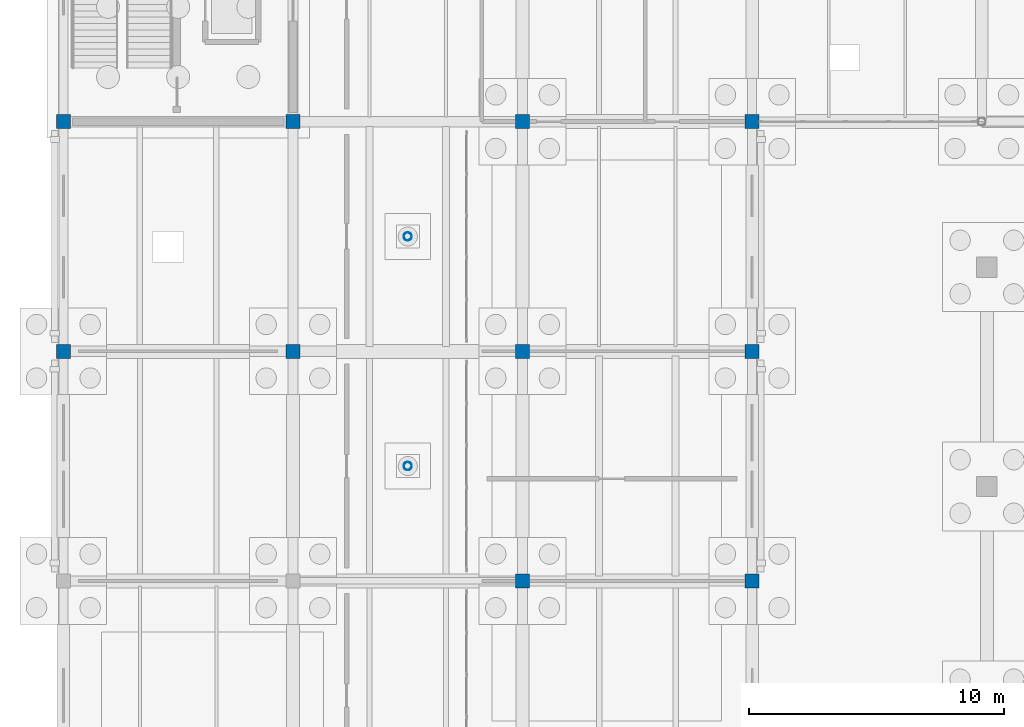
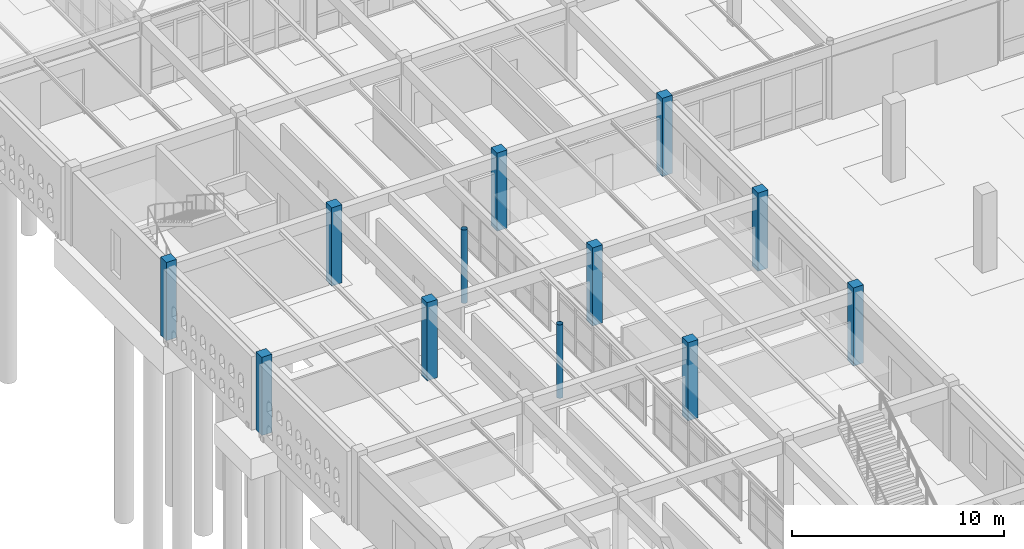
# One storey, part 11 of 186: 12 columns.
"""IFC4 building model written with IfcOpenShell, lengths in metres."""

import ifcopenshell
import ifcopenshell.guid

model = None  # the IFC model being written
_history = None  # IfcOwnerHistory: only IFC2X3 demands one
_inside = {}  # id of a spatial element -> (the spatial element, [elements in it])
_under = {}  # id of a project, library or spatial element -> (it, [spatial elements below it])
_declared = {}  # id of a project -> (the project, [libraries it declares])
_typed = {}  # id of a type object -> (the type object, [elements of that type])
_made_of = {}  # id of a material, layer set ... -> (it, [elements and type objects made of it])


def new_model(schema):
    """Start an empty IFC model of exactly this schema.

    Asked for "IFC4X3", IfcOpenShell would pick the latest addendum, in which some entities
    have other attributes; the version numbers below select the first issue.
    IFC2X3 requires an IfcOwnerHistory on every rooted entity: one is made here for all.
    """
    global model, _history
    if schema == "IFC4X3":
        model = ifcopenshell.file(schema_version=(4, 3, 0, 0))
    else:
        model = ifcopenshell.file(schema=schema)
    _inside.clear()
    _under.clear()
    _declared.clear()
    _typed.clear()
    _made_of.clear()
    _history = None
    if model.schema == "IFC2X3":
        org = make("IfcOrganization", Name="unknown")
        user = make(
            "IfcPersonAndOrganization",
            ThePerson=make("IfcPerson", FamilyName="unknown"),
            TheOrganization=org,
        )
        app = make(
            "IfcApplication",
            ApplicationDeveloper=org,
            Version="unknown",
            ApplicationFullName="unknown",
            ApplicationIdentifier="unknown",
        )
        _history = make(
            "IfcOwnerHistory",
            OwningUser=user,
            OwningApplication=app,
            ChangeAction="ADDED",
            CreationDate=0,
        )
    return model


def make(cls, **values):
    """One entity of the class cls with the attributes given. An attribute that is None is left unset."""
    return model.create_entity(
        cls, **{name: value for name, value in values.items() if value is not None}
    )


def rooted(cls, **values):
    """An entity with a GlobalId (a new one), such as an element, a storey or a relation."""
    return make(cls, GlobalId=ifcopenshell.guid.new(), OwnerHistory=_history, **values)


def si_unit(unit_type, name, prefix=None):
    """IfcSIUnit, for example si_unit("LENGTHUNIT", "METRE", prefix="MILLI")."""
    return make("IfcSIUnit", UnitType=unit_type, Prefix=prefix, Name=name)


def assignment(units):
    """IfcUnitAssignment: the units of a project."""
    return None if units is None else make("IfcUnitAssignment", Units=units)


def point(xyz):
    """IfcCartesianPoint."""
    return None if xyz is None else make("IfcCartesianPoint", Coordinates=xyz)


def direction(xyz):
    """IfcDirection."""
    return None if xyz is None else make("IfcDirection", DirectionRatios=xyz)


def frame(location, z_axis=None, x_axis=None):
    """IfcAxis2Placement3D, a coordinate frame: its origin and axes. An axis left out is left unset."""
    return make(
        "IfcAxis2Placement3D",
        Location=point(location),
        Axis=direction(z_axis),
        RefDirection=direction(x_axis),
    )


def frame_2d(location, x_axis=None):
    """IfcAxis2Placement2D, a coordinate frame in the plane: its origin and x axis."""
    return make(
        "IfcAxis2Placement2D", Location=point(location), RefDirection=direction(x_axis)
    )


def origin():
    """The frame at (0, 0, 0) with its axes left unset."""
    return frame((0.0, 0.0, 0.0))


def origin_2d():
    """The frame at (0, 0) in the plane with its x axis left unset."""
    return frame_2d((0.0, 0.0))


def place(relative_to, where):
    """IfcLocalPlacement: puts the frame where relative to a parent placement (None: the world)."""
    return make(
        "IfcLocalPlacement", PlacementRelTo=relative_to, RelativePlacement=where
    )


def context(
    kind, dimensions, precision=None, world=None, true_north=None, identifier=None
):
    """IfcGeometricRepresentationContext, for example the 3D "Model" context."""
    return make(
        "IfcGeometricRepresentationContext",
        ContextIdentifier=identifier,
        ContextType=kind,
        CoordinateSpaceDimension=dimensions,
        Precision=precision,
        WorldCoordinateSystem=world,
        TrueNorth=true_north,
    )


def subcontext(parent, identifier, kind, view, scale=None):
    """IfcGeometricRepresentationSubContext, for example "Body" below "Model"."""
    return make(
        "IfcGeometricRepresentationSubContext",
        ContextIdentifier=identifier,
        ContextType=kind,
        ParentContext=parent,
        TargetScale=scale,
        TargetView=view,
    )


def project(units=None, contexts=None):
    """IfcProject with its units and contexts."""
    return rooted(
        "IfcProject",
        Name="project",
        RepresentationContexts=contexts,
        UnitsInContext=assignment(units),
    )


def spatial(cls, under=None, at=None, **own):
    """A site, building, storey or space (cls), placed at a placement, below another one or the project."""
    s = rooted(cls, ObjectPlacement=at, **own)
    if under is not None:
        _under.setdefault(under.id(), (under, []))[1].append(s)
    return s


def profile(cls, at=None, kind="AREA", **sizes):
    """A parametric profile (cls). Its sizes go by their IFC names, for example OverallWidth=200.0."""
    return make(cls, ProfileType=kind, Position=at, **sizes)


def rectangle(**sizes):
    """IfcRectangleProfileDef."""
    return profile("IfcRectangleProfileDef", **sizes)


def hollow_circle(**sizes):
    """IfcCircleHollowProfileDef."""
    return profile("IfcCircleHollowProfileDef", **sizes)


def extrude(swept, where, along, depth):
    """IfcExtrudedAreaSolid: the profile swept, set in the frame where, extruded along a direction by depth."""
    return make(
        "IfcExtrudedAreaSolid",
        SweptArea=swept,
        Position=where,
        ExtrudedDirection=direction(along),
        Depth=depth,
    )


def shape(context_of_items, identifier, shape_type, items):
    """IfcShapeRepresentation: the items that make up one representation, for example the "Body"."""
    return make(
        "IfcShapeRepresentation",
        ContextOfItems=context_of_items,
        RepresentationIdentifier=identifier,
        RepresentationType=shape_type,
        Items=items,
    )


def material(Name=None, Category=None):
    """IfcMaterial."""
    return make("IfcMaterial", Name=Name, Category=Category)


def material_profile(
    of_material, cross_section, Name=None, Category=None, Priority=None
):
    """IfcMaterialProfile: a cross section and its material."""
    return make(
        "IfcMaterialProfile",
        Name=Name,
        Material=of_material,
        Profile=cross_section,
        Priority=Priority,
        Category=Category,
    )


def profile_set(profiles, Name=None, composite=None):
    """IfcMaterialProfileSet."""
    return make(
        "IfcMaterialProfileSet",
        Name=Name,
        MaterialProfiles=profiles,
        CompositeProfile=composite,
    )


def made_of(thing, what):
    """Note that an element or type object is made of a material, layer set ...; save() writes the relation."""
    if what is not None:
        _made_of.setdefault(what.id(), (what, []))[1].append(thing)
    return thing


def type_object(cls, material=None, **own):
    """A type object (cls), such as IfcWallType, which elements share."""
    return made_of(rooted(cls, **own), material)


def element(
    cls,
    number,
    at=None,
    inside=None,
    cuts=None,
    type_object=None,
    material=None,
    context=None,
    identifier="Body",
    shape_type=None,
    held_by="IfcProductDefinitionShape",
    body=None,
    shapes=None,
    **own,
):
    """One element of the class cls, such as IfcWall. Its Tag is "e" and its number.

    at: its placement. inside: the storey or other place that contains it. cuts: it is an
    opening in that element (IfcRelVoidsElement). A single representation is given by context,
    identifier, shape_type and body (its items); several are given by shapes. held_by: the class
    of the entity that holds the representations. save() writes the other relations.
    """
    e = rooted(cls, Tag="e%d" % number, ObjectPlacement=at, **own)
    if body is not None:
        shapes = [shape(context, identifier, shape_type, body)]
    if shapes is not None:
        e.Representation = make(held_by, Representations=shapes)
    if inside is not None:
        _inside.setdefault(inside.id(), (inside, []))[1].append(e)
    if cuts is not None:
        rooted(
            "IfcRelVoidsElement", RelatingBuildingElement=cuts, RelatedOpeningElement=e
        )
    if type_object is not None:
        _typed.setdefault(type_object.id(), (type_object, []))[1].append(e)
    return made_of(e, material)


def aggregate(whole, parts):
    """IfcRelAggregates: a whole, such as a stair, and the parts it consists of."""
    return rooted("IfcRelAggregates", RelatingObject=whole, RelatedObjects=parts)


def save(model, path):
    """Write the relations noted so far, then the file.

    IfcRelAggregates (storeys below a building ...), IfcRelContainedInSpatialStructure (elements
    in a storey), IfcRelDefinesByType, IfcRelAssociatesMaterial and IfcRelDeclares: one each for
    every whole, place, type object, material and project.
    """
    for whole, parts in _under.values():
        aggregate(whole, parts)
    for where, things in _inside.values():
        rooted(
            "IfcRelContainedInSpatialStructure",
            RelatedElements=things,
            RelatingStructure=where,
        )
    for kind, things in _typed.values():
        rooted("IfcRelDefinesByType", RelatedObjects=things, RelatingType=kind)
    for what, things in _made_of.values():
        rooted("IfcRelAssociatesMaterial", RelatedObjects=things, RelatingMaterial=what)
    for by, libraries in _declared.values():
        rooted("IfcRelDeclares", RelatingContext=by, RelatedDefinitions=libraries)
    model.write(path)


model = new_model("IFC4")

# Units and contexts
model_context = context("Model", 3, precision=1e-05, world=origin(), true_north=direction((0.0, 1.0)))
body_context = subcontext(model_context, "Body", "Model", "MODEL_VIEW")
ifc_project = project(units=[si_unit("LENGTHUNIT", "METRE"), si_unit("AREAUNIT", "SQUARE_METRE"), si_unit("VOLUMEUNIT", "CUBIC_METRE"), si_unit("PLANEANGLEUNIT", "RADIAN"), si_unit("MASSUNIT", "GRAM", prefix="KILO")], contexts=[model_context])

# Site, building, storey
site_placement = place(None, origin())
site = spatial("IfcSite", under=ifc_project, at=site_placement, CompositionType="ELEMENT")
building_placement = place(site_placement, origin())
building = spatial("IfcBuilding", under=site, at=building_placement, Name="Ornek Quay Market", CompositionType="ELEMENT")
storey_placement = place(building_placement, origin())
storey = spatial("IfcBuildingStorey", under=building, at=storey_placement, Name="L00", CompositionType="ELEMENT", Elevation=0.0)

# Columns
ifc_material_1 = material(Name="Steel S355", Category="steel")
ifc_material_profile_1 = material_profile(ifc_material_1, hollow_circle(Radius=0.161865234375, WallThickness=0.012451171875, at=origin_2d()), Name="CHS 323.9x12.5", Category="steel")
ifc_profile_set_1 = profile_set([ifc_material_profile_1], Name="Steel S355")
column_type_1 = type_object("IfcColumnType", Name="COL-PORCH-CHS323", PredefinedType="PILASTER", material=ifc_profile_set_1)
for number, where, z_axis, x_axis, name in (
    (1, (13.5, 78.5, 0.0), (0.0, 0.0, 1.0), (1.0, 0.0, 0.0), "Pavilion column CK-06"),
    (2, (13.5, 87.5, 0.0), (0.0, 0.0, 1.0), (1.0, 0.0, 0.0), "Pavilion column CK-08"),
):
    element("IfcColumn", number, at=place(storey_placement, frame(where, z_axis=z_axis, x_axis=x_axis)), inside=storey, type_object=column_type_1, Name=name, PredefinedType="PILASTER", context=body_context, shape_type="SweptSolid", body=[
        extrude(hollow_circle(Radius=0.161865234375, WallThickness=0.012451171875, at=origin_2d()), origin(), (0.0, 0.0, 1.0), 4.219970703125),
    ])
ifc_material_2 = material(Name="Concrete C40/50", Category="concrete")
ifc_material_profile_2 = material_profile(ifc_material_2, rectangle(XDim=0.550048828125, YDim=0.550048828125, at=origin_2d()), Name="RC 550x550", Category="concrete")
ifc_profile_set_2 = profile_set([ifc_material_profile_2], Name="Concrete C40/50")
column_type_2 = type_object("IfcColumnType", Name="COL-RC-550x550", PredefinedType="COLUMN", material=ifc_profile_set_2)
for number, where, z_axis, x_axis, name in (
    (3, (0.0, 83.0, 0.0), (0.0, 0.0, 1.0), (1.0, 0.0, 0.0), "Column C-55-008"),
    (4, (0.0, 92.0, 0.0), (0.0, 0.0, 1.0), (1.0, 0.0, 0.0), "Column C-55-009"),
    (5, (9.0, 83.0, 0.0), (0.0, 0.0, 1.0), (1.0, 0.0, 0.0), "Column C-55-019"),
    (6, (9.0, 92.0, 0.0), (0.0, 0.0, 1.0), (1.0, 0.0, 0.0), "Column C-55-020"),
    (7, (18.0, 74.0, 0.0), (0.0, 0.0, 1.0), (1.0, 0.0, 0.0), "Column C-55-029"),
    (8, (18.0, 83.0, 0.0), (0.0, 0.0, 1.0), (1.0, 0.0, 0.0), "Column C-55-030"),
    (9, (18.0, 92.0, 0.0), (0.0, 0.0, 1.0), (1.0, 0.0, 0.0), "Column C-55-031"),
    (10, (27.0, 74.0, 0.0), (0.0, 0.0, 1.0), (1.0, 0.0, 0.0), "Column C-55-040"),
    (11, (27.0, 83.0, 0.0), (0.0, 0.0, 1.0), (1.0, 0.0, 0.0), "Column C-55-041"),
    (12, (27.0, 92.0, 0.0), (0.0, 0.0, 1.0), (1.0, 0.0, 0.0), "Column C-55-042"),
):
    element("IfcColumn", number, at=place(storey_placement, frame(where, z_axis=z_axis, x_axis=x_axis)), inside=storey, type_object=column_type_2, Name=name, PredefinedType="COLUMN", context=body_context, shape_type="SweptSolid", body=[
        extrude(rectangle(XDim=0.550048828125, YDim=0.550048828125, at=origin_2d()), origin(), (0.0, 0.0, 1.0), 4.5),
    ])

save(model, "model.ifc")
